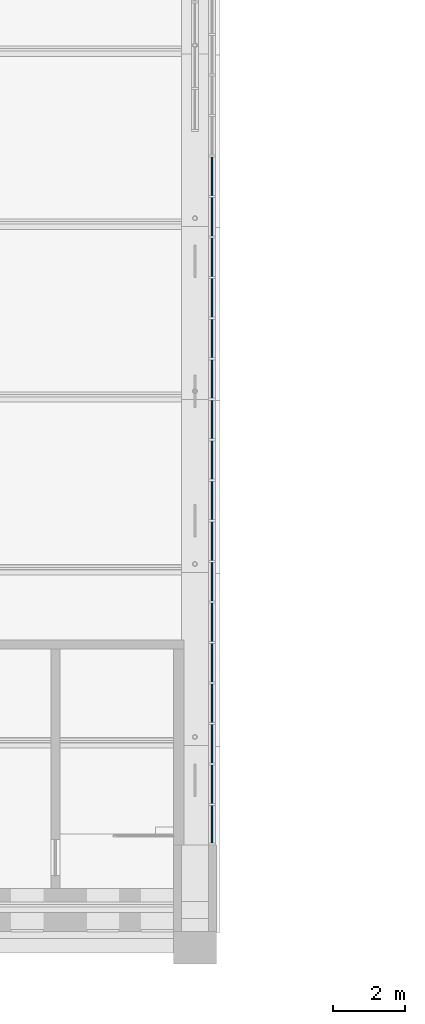
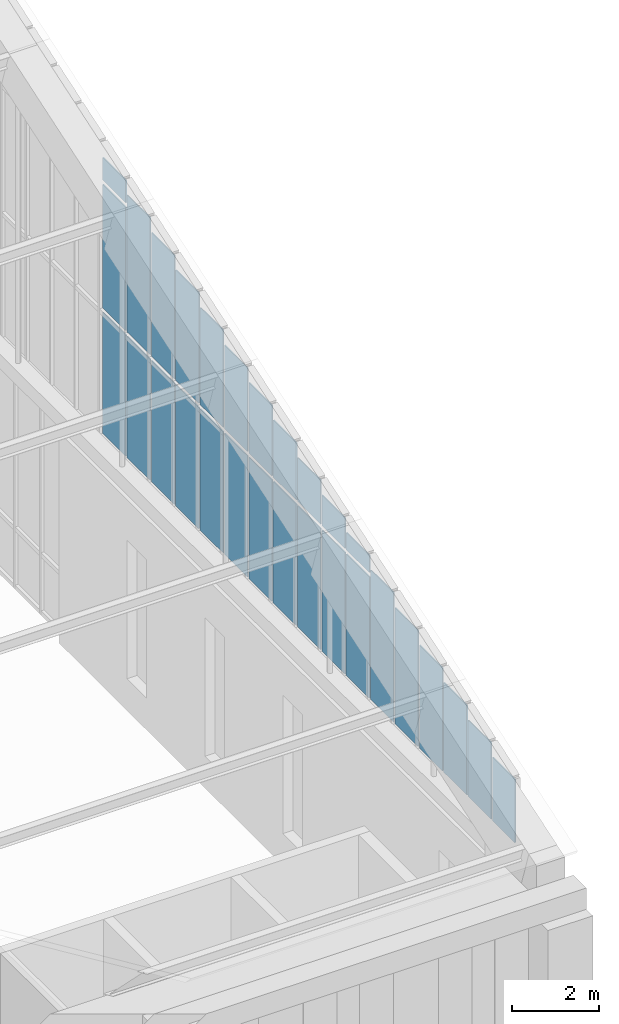
# One storey, part 116 of 149: 29 plates, 1 element without a shape of its own.
"""IFC4 building model written with IfcOpenShell, lengths in metres."""

from ifc_helpers import new_model, si_unit, direction, frame, origin, origin_2d, place, context, subcontext, project, spatial, rectangle, extrude, material, layer, layer_set, type_object, element, aggregate, save


model = new_model("IFC4")

# Units and contexts
model_context = context("Model", 3, precision=1e-05, world=origin(), true_north=direction((0.0, 1.0)))
body_context = subcontext(model_context, "Body", "Model", "MODEL_VIEW")
ifc_project = project(units=[si_unit("LENGTHUNIT", "METRE"), si_unit("AREAUNIT", "SQUARE_METRE"), si_unit("VOLUMEUNIT", "CUBIC_METRE"), si_unit("PLANEANGLEUNIT", "RADIAN"), si_unit("MASSUNIT", "GRAM", prefix="KILO")], contexts=[model_context])

# Site, building, storey
site_placement = place(None, origin())
site = spatial("IfcSite", under=ifc_project, at=site_placement, CompositionType="ELEMENT")
building_placement = place(site_placement, origin())
building = spatial("IfcBuilding", under=site, at=building_placement, Name="Alderwick Market Hall", CompositionType="ELEMENT")
storey_placement = place(building_placement, frame((0.0, 0.0, 9.60009765625)))
storey = spatial("IfcBuildingStorey", under=building, at=storey_placement, Name="L01", CompositionType="ELEMENT", Elevation=9.60009765625)

# Curtain wall, plates
ifc_material_1 = material(Name="Aluminium", Category="aluminium")
curtain_wall_type = type_object("IfcCurtainWallType", Name="R Curtain Wall Frame", PredefinedType="NOTDEFINED", material=ifc_material_1)
curtain_wall_placement = place(storey_placement, origin())
curtain_wall = element("IfcCurtainWall", 1, at=curtain_wall_placement, inside=storey, type_object=curtain_wall_type, Name="Curtain wall GCW3", PredefinedType="NOTDEFINED")
ifc_material_2 = material(Name="Glass 8+8 mm PVB interlayer", Category="glass")
ifc_layer = layer(ifc_material_2, 0.028076171875)
ifc_layer_set = layer_set([ifc_layer], Name="Glass 8+8 mm PVB interlayer")
plate_type = type_object("IfcPlateType", Name="R CW Panel IGU 28", PredefinedType="CURTAIN_PANEL", material=ifc_layer_set)
plate_1_placement = place(storey_placement, frame((151.675048828125, 52.777587890625, 6.06689453125), z_axis=(0.0, 0.0, 1.0), x_axis=(1.0, 0.0, 0.0)))
plate_1 = element("IfcPlate", 2, at=plate_1_placement, type_object=plate_type, Name="GCW3 panel 1.1", PredefinedType="CURTAIN_PANEL", context=body_context, shape_type="SweptSolid", body=[
    extrude(rectangle(XDim=0.028076171875, YDim=1.034912109375, at=origin_2d()), origin(), (0.0, 0.0, 1.0), 1.787353515625),
])
plate_2_placement = place(storey_placement, frame((151.675048828125, 53.887451171875, 6.066650390625), z_axis=(0.0, 0.0, 1.0), x_axis=(1.0, 0.0, 0.0)))
plate_2 = element("IfcPlate", 3, at=plate_2_placement, type_object=plate_type, Name="GCW3 panel 2.1", PredefinedType="CURTAIN_PANEL", context=body_context, shape_type="SweptSolid", body=[
    extrude(rectangle(XDim=0.028076171875, YDim=1.06494140625, at=origin_2d()), origin(), (0.0, 0.0, 1.0), 2.15234375),
])
plate_3_placement = place(storey_placement, frame((151.675048828125, 55.012451171875, 6.066650390625), z_axis=(0.0, 0.0, 1.0), x_axis=(1.0, 0.0, 0.0)))
plate_3 = element("IfcPlate", 4, at=plate_3_placement, type_object=plate_type, Name="GCW3 panel 3.1", PredefinedType="CURTAIN_PANEL", context=body_context, shape_type="SweptSolid", body=[
    extrude(rectangle(XDim=0.028076171875, YDim=1.06494140625, at=origin_2d()), origin(), (0.0, 0.0, 1.0), 2.52734375),
])
plate_4_placement = place(storey_placement, frame((151.675048828125, 56.137451171875, 6.066650390625), z_axis=(0.0, 0.0, 1.0), x_axis=(1.0, 0.0, 0.0)))
plate_4 = element("IfcPlate", 5, at=plate_4_placement, type_object=plate_type, Name="GCW3 panel 4.1", PredefinedType="CURTAIN_PANEL", context=body_context, shape_type="SweptSolid", body=[
    extrude(rectangle(XDim=0.028076171875, YDim=1.06494140625, at=origin_2d()), origin(), (0.0, 0.0, 1.0), 2.90234375),
])
plate_5_placement = place(storey_placement, frame((151.675048828125, 57.262451171875, 6.066650390625), z_axis=(0.0, 0.0, 1.0), x_axis=(1.0, 0.0, 0.0)))
plate_5 = element("IfcPlate", 6, at=plate_5_placement, type_object=plate_type, Name="GCW3 panel 5.1", PredefinedType="CURTAIN_PANEL", context=body_context, shape_type="SweptSolid", body=[
    extrude(rectangle(XDim=0.028076171875, YDim=1.06494140625, at=origin_2d()), origin(), (0.0, 0.0, 1.0), 3.27734375),
])
plate_6_placement = place(storey_placement, frame((151.675048828125, 58.387451171875, 6.066650390625), z_axis=(0.0, 0.0, 1.0), x_axis=(1.0, 0.0, 0.0)))
plate_6 = element("IfcPlate", 7, at=plate_6_placement, type_object=plate_type, Name="GCW3 panel 6.1", PredefinedType="CURTAIN_PANEL", context=body_context, shape_type="SweptSolid", body=[
    extrude(rectangle(XDim=0.028076171875, YDim=1.06494140625, at=origin_2d()), origin(), (0.0, 0.0, 1.0), 3.65234375),
])
plate_7_placement = place(storey_placement, frame((151.675048828125, 59.512451171875, 6.066650390625), z_axis=(0.0, 0.0, 1.0), x_axis=(1.0, 0.0, 0.0)))
plate_7 = element("IfcPlate", 8, at=plate_7_placement, type_object=plate_type, Name="GCW3 panel 7.1", PredefinedType="CURTAIN_PANEL", context=body_context, shape_type="SweptSolid", body=[
    extrude(rectangle(XDim=0.028076171875, YDim=1.06494140625, at=origin_2d()), origin(), (0.0, 0.0, 1.0), 3.419921875),
])
plate_8_placement = place(storey_placement, frame((151.675048828125, 59.512451171875, 9.606689453125), z_axis=(0.0, 0.0, 1.0), x_axis=(1.0, 0.0, 0.0)))
plate_8 = element("IfcPlate", 9, at=plate_8_placement, type_object=plate_type, Name="GCW3 panel 7.2", PredefinedType="CURTAIN_PANEL", context=body_context, shape_type="SweptSolid", body=[
    extrude(rectangle(XDim=0.028076171875, YDim=1.06494140625, at=origin_2d()), origin(), (0.0, 0.0, 1.0), 0.4873046875),
])
plate_9_placement = place(storey_placement, frame((151.675048828125, 60.637451171875, 6.066650390625), z_axis=(0.0, 0.0, 1.0), x_axis=(1.0, 0.0, 0.0)))
plate_9 = element("IfcPlate", 10, at=plate_9_placement, type_object=plate_type, Name="GCW3 panel 8.1", PredefinedType="CURTAIN_PANEL", context=body_context, shape_type="SweptSolid", body=[
    extrude(rectangle(XDim=0.028076171875, YDim=1.06494140625, at=origin_2d()), origin(), (0.0, 0.0, 1.0), 3.419921875),
])
plate_10_placement = place(storey_placement, frame((151.675048828125, 60.637451171875, 9.606689453125), z_axis=(0.0, 0.0, 1.0), x_axis=(1.0, 0.0, 0.0)))
plate_10 = element("IfcPlate", 11, at=plate_10_placement, type_object=plate_type, Name="GCW3 panel 8.2", PredefinedType="CURTAIN_PANEL", context=body_context, shape_type="SweptSolid", body=[
    extrude(rectangle(XDim=0.028076171875, YDim=1.06494140625, at=origin_2d()), origin(), (0.0, 0.0, 1.0), 0.8623046875),
])
plate_11_placement = place(storey_placement, frame((151.675048828125, 61.762451171875, 6.066650390625), z_axis=(0.0, 0.0, 1.0), x_axis=(1.0, 0.0, 0.0)))
plate_11 = element("IfcPlate", 12, at=plate_11_placement, type_object=plate_type, Name="GCW3 panel 9.1", PredefinedType="CURTAIN_PANEL", context=body_context, shape_type="SweptSolid", body=[
    extrude(rectangle(XDim=0.028076171875, YDim=1.06494140625, at=origin_2d()), origin(), (0.0, 0.0, 1.0), 3.419921875),
])
plate_12_placement = place(storey_placement, frame((151.675048828125, 61.762451171875, 9.606689453125), z_axis=(0.0, 0.0, 1.0), x_axis=(1.0, 0.0, 0.0)))
plate_12 = element("IfcPlate", 13, at=plate_12_placement, type_object=plate_type, Name="GCW3 panel 9.2", PredefinedType="CURTAIN_PANEL", context=body_context, shape_type="SweptSolid", body=[
    extrude(rectangle(XDim=0.028076171875, YDim=1.06494140625, at=origin_2d()), origin(), (0.0, 0.0, 1.0), 1.2373046875),
])
plate_13_placement = place(storey_placement, frame((151.675048828125, 62.887451171875, 6.066650390625), z_axis=(0.0, 0.0, 1.0), x_axis=(1.0, 0.0, 0.0)))
plate_13 = element("IfcPlate", 14, at=plate_13_placement, type_object=plate_type, Name="GCW3 panel 10.1", PredefinedType="CURTAIN_PANEL", context=body_context, shape_type="SweptSolid", body=[
    extrude(rectangle(XDim=0.028076171875, YDim=1.06494140625, at=origin_2d()), origin(), (0.0, 0.0, 1.0), 3.419921875),
])
plate_14_placement = place(storey_placement, frame((151.675048828125, 62.887451171875, 9.606689453125), z_axis=(0.0, 0.0, 1.0), x_axis=(1.0, 0.0, 0.0)))
plate_14 = element("IfcPlate", 15, at=plate_14_placement, type_object=plate_type, Name="GCW3 panel 10.2", PredefinedType="CURTAIN_PANEL", context=body_context, shape_type="SweptSolid", body=[
    extrude(rectangle(XDim=0.028076171875, YDim=1.06494140625, at=origin_2d()), origin(), (0.0, 0.0, 1.0), 1.6123046875),
])
plate_15_placement = place(storey_placement, frame((151.675048828125, 64.012451171875, 6.066650390625), z_axis=(0.0, 0.0, 1.0), x_axis=(1.0, 0.0, 0.0)))
plate_15 = element("IfcPlate", 16, at=plate_15_placement, type_object=plate_type, Name="GCW3 panel 11.1", PredefinedType="CURTAIN_PANEL", context=body_context, shape_type="SweptSolid", body=[
    extrude(rectangle(XDim=0.028076171875, YDim=1.06494140625, at=origin_2d()), origin(), (0.0, 0.0, 1.0), 3.419921875),
])
plate_16_placement = place(storey_placement, frame((151.675048828125, 64.012451171875, 9.606689453125), z_axis=(0.0, 0.0, 1.0), x_axis=(1.0, 0.0, 0.0)))
plate_16 = element("IfcPlate", 17, at=plate_16_placement, type_object=plate_type, Name="GCW3 panel 11.2", PredefinedType="CURTAIN_PANEL", context=body_context, shape_type="SweptSolid", body=[
    extrude(rectangle(XDim=0.028076171875, YDim=1.06494140625, at=origin_2d()), origin(), (0.0, 0.0, 1.0), 1.9873046875),
])
plate_17_placement = place(storey_placement, frame((151.675048828125, 65.137451171875, 6.066650390625), z_axis=(0.0, 0.0, 1.0), x_axis=(1.0, 0.0, 0.0)))
plate_17 = element("IfcPlate", 18, at=plate_17_placement, type_object=plate_type, Name="GCW3 panel 12.1", PredefinedType="CURTAIN_PANEL", context=body_context, shape_type="SweptSolid", body=[
    extrude(rectangle(XDim=0.028076171875, YDim=1.06494140625, at=origin_2d()), origin(), (0.0, 0.0, 1.0), 3.419921875),
])
plate_18_placement = place(storey_placement, frame((151.675048828125, 65.137451171875, 9.606689453125), z_axis=(0.0, 0.0, 1.0), x_axis=(1.0, 0.0, 0.0)))
plate_18 = element("IfcPlate", 19, at=plate_18_placement, type_object=plate_type, Name="GCW3 panel 12.2", PredefinedType="CURTAIN_PANEL", context=body_context, shape_type="SweptSolid", body=[
    extrude(rectangle(XDim=0.028076171875, YDim=1.06494140625, at=origin_2d()), origin(), (0.0, 0.0, 1.0), 2.3623046875),
])
plate_19_placement = place(storey_placement, frame((151.675048828125, 66.262451171875, 6.066650390625), z_axis=(0.0, 0.0, 1.0), x_axis=(1.0, 0.0, 0.0)))
plate_19 = element("IfcPlate", 20, at=plate_19_placement, type_object=plate_type, Name="GCW3 panel 13.1", PredefinedType="CURTAIN_PANEL", context=body_context, shape_type="SweptSolid", body=[
    extrude(rectangle(XDim=0.028076171875, YDim=1.06494140625, at=origin_2d()), origin(), (0.0, 0.0, 1.0), 3.419921875),
])
plate_20_placement = place(storey_placement, frame((151.675048828125, 66.262451171875, 9.606689453125), z_axis=(0.0, 0.0, 1.0), x_axis=(1.0, 0.0, 0.0)))
plate_20 = element("IfcPlate", 21, at=plate_20_placement, type_object=plate_type, Name="GCW3 panel 13.2", PredefinedType="CURTAIN_PANEL", context=body_context, shape_type="SweptSolid", body=[
    extrude(rectangle(XDim=0.028076171875, YDim=1.06494140625, at=origin_2d()), origin(), (0.0, 0.0, 1.0), 2.7373046875),
])
plate_21_placement = place(storey_placement, frame((151.675048828125, 67.387451171875, 6.066650390625), z_axis=(0.0, 0.0, 1.0), x_axis=(1.0, 0.0, 0.0)))
plate_21 = element("IfcPlate", 22, at=plate_21_placement, type_object=plate_type, Name="GCW3 panel 14.1", PredefinedType="CURTAIN_PANEL", context=body_context, shape_type="SweptSolid", body=[
    extrude(rectangle(XDim=0.028076171875, YDim=1.06494140625, at=origin_2d()), origin(), (0.0, 0.0, 1.0), 3.419921875),
])
plate_22_placement = place(storey_placement, frame((151.675048828125, 67.387451171875, 9.606689453125), z_axis=(0.0, 0.0, 1.0), x_axis=(1.0, 0.0, 0.0)))
plate_22 = element("IfcPlate", 23, at=plate_22_placement, type_object=plate_type, Name="GCW3 panel 14.2", PredefinedType="CURTAIN_PANEL", context=body_context, shape_type="SweptSolid", body=[
    extrude(rectangle(XDim=0.028076171875, YDim=1.06494140625, at=origin_2d()), origin(), (0.0, 0.0, 1.0), 3.1123046875),
])
plate_23_placement = place(storey_placement, frame((151.675048828125, 68.512451171875, 6.066650390625), z_axis=(0.0, 0.0, 1.0), x_axis=(1.0, 0.0, 0.0)))
plate_23 = element("IfcPlate", 24, at=plate_23_placement, type_object=plate_type, Name="GCW3 panel 15.1", PredefinedType="CURTAIN_PANEL", context=body_context, shape_type="SweptSolid", body=[
    extrude(rectangle(XDim=0.028076171875, YDim=1.06494140625, at=origin_2d()), origin(), (0.0, 0.0, 1.0), 3.419921875),
])
plate_24_placement = place(storey_placement, frame((151.675048828125, 68.512451171875, 9.606689453125), z_axis=(0.0, 0.0, 1.0), x_axis=(1.0, 0.0, 0.0)))
plate_24 = element("IfcPlate", 25, at=plate_24_placement, type_object=plate_type, Name="GCW3 panel 15.2", PredefinedType="CURTAIN_PANEL", context=body_context, shape_type="SweptSolid", body=[
    extrude(rectangle(XDim=0.028076171875, YDim=1.06494140625, at=origin_2d()), origin(), (0.0, 0.0, 1.0), 3.4873046875),
])
plate_25_placement = place(storey_placement, frame((151.675048828125, 69.637451171875, 6.066650390625), z_axis=(0.0, 0.0, 1.0), x_axis=(1.0, 0.0, 0.0)))
plate_25 = element("IfcPlate", 26, at=plate_25_placement, type_object=plate_type, Name="GCW3 panel 16.1", PredefinedType="CURTAIN_PANEL", context=body_context, shape_type="SweptSolid", body=[
    extrude(rectangle(XDim=0.028076171875, YDim=1.06494140625, at=origin_2d()), origin(), (0.0, 0.0, 1.0), 3.419921875),
])
plate_26_placement = place(storey_placement, frame((151.675048828125, 69.637451171875, 9.606689453125), z_axis=(0.0, 0.0, 1.0), x_axis=(1.0, 0.0, 0.0)))
plate_26 = element("IfcPlate", 27, at=plate_26_placement, type_object=plate_type, Name="GCW3 panel 16.2", PredefinedType="CURTAIN_PANEL", context=body_context, shape_type="SweptSolid", body=[
    extrude(rectangle(XDim=0.028076171875, YDim=1.06494140625, at=origin_2d()), origin(), (0.0, 0.0, 1.0), 3.8623046875),
])
plate_27_placement = place(storey_placement, frame((151.675048828125, 70.762451171875, 6.066650390625), z_axis=(0.0, 0.0, 1.0), x_axis=(1.0, 0.0, 0.0)))
plate_27 = element("IfcPlate", 28, at=plate_27_placement, type_object=plate_type, Name="GCW3 panel 17.1", PredefinedType="CURTAIN_PANEL", context=body_context, shape_type="SweptSolid", body=[
    extrude(rectangle(XDim=0.028076171875, YDim=1.06494140625, at=origin_2d()), origin(), (0.0, 0.0, 1.0), 3.419921875),
])
plate_28_placement = place(storey_placement, frame((151.675048828125, 70.762451171875, 9.606689453125), z_axis=(0.0, 0.0, 1.0), x_axis=(1.0, 0.0, 0.0)))
plate_28 = element("IfcPlate", 29, at=plate_28_placement, type_object=plate_type, Name="GCW3 panel 17.2", PredefinedType="CURTAIN_PANEL", context=body_context, shape_type="SweptSolid", body=[
    extrude(rectangle(XDim=0.028076171875, YDim=1.06494140625, at=origin_2d()), origin(), (0.0, 0.0, 1.0), 3.47998046875),
])
plate_29_placement = place(storey_placement, frame((151.675048828125, 70.762451171875, 13.206787109375), z_axis=(0.0, 0.0, 1.0), x_axis=(1.0, 0.0, 0.0)))
plate_29 = element("IfcPlate", 30, at=plate_29_placement, type_object=plate_type, Name="GCW3 panel 17.3", PredefinedType="CURTAIN_PANEL", context=body_context, shape_type="SweptSolid", body=[
    extrude(rectangle(XDim=0.028076171875, YDim=1.06494140625, at=origin_2d()), origin(), (0.0, 0.0, 1.0), 0.63720703125),
])
aggregate(curtain_wall, [plate_1, plate_2, plate_3, plate_4, plate_5, plate_6, plate_7, plate_8, plate_9, plate_10, plate_11, plate_12, plate_13, plate_14, plate_15, plate_16, plate_17, plate_18, plate_19, plate_20, plate_21, plate_22, plate_23, plate_24, plate_25, plate_26, plate_27, plate_28, plate_29])

save(model, "model.ifc")
